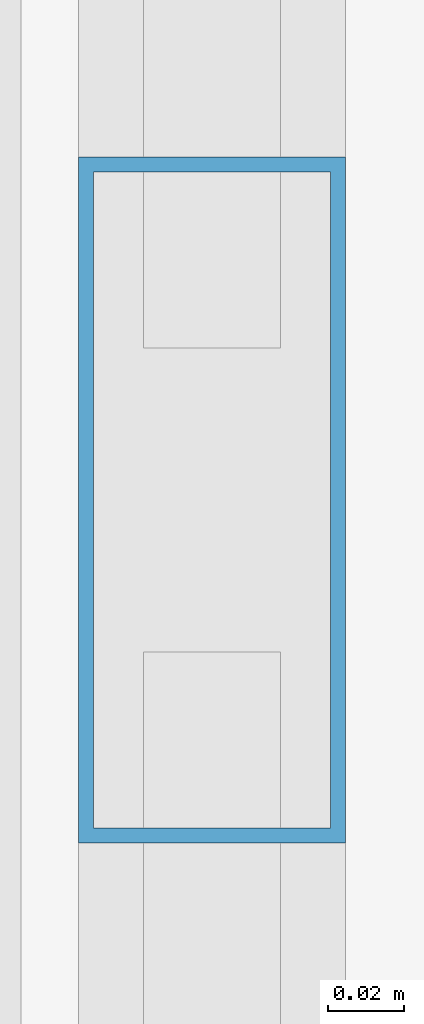
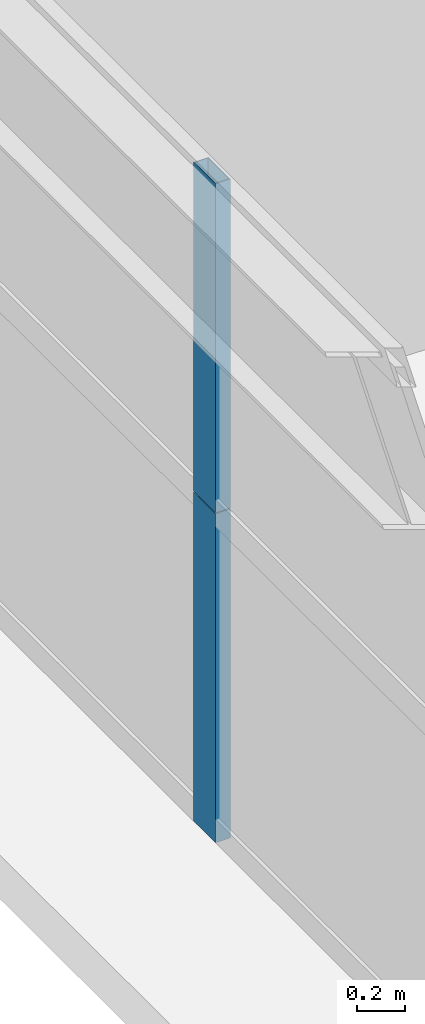
# One storey, part 9 of 43: 2 members, 1 element without a shape of its own.
"""IFC4 building model written with IfcOpenShell, lengths in metres."""

from ifc_helpers import new_model, si_unit, direction, frame, origin, origin_2d, place, context, subcontext, project, spatial, hollow_rectangle, extrude, source, transform, mapped, material, layer, layer_set, material_profile, profile_set, type_object, element, aggregate, save


model = new_model("IFC4")

# Units and contexts
model_context = context("Model", 3, precision=1e-05, world=origin(), true_north=direction((0.0, 1.0)))
body_context = subcontext(model_context, "Body", "Model", "MODEL_VIEW")
ifc_project = project(units=[si_unit("LENGTHUNIT", "METRE"), si_unit("AREAUNIT", "SQUARE_METRE"), si_unit("VOLUMEUNIT", "CUBIC_METRE"), si_unit("PLANEANGLEUNIT", "RADIAN"), si_unit("MASSUNIT", "GRAM", prefix="KILO"), si_unit("THERMODYNAMICTEMPERATUREUNIT", "KELVIN"), si_unit("POWERUNIT", "WATT")], contexts=[model_context])

# Site, building, storey
site_placement = place(None, origin())
site = spatial("IfcSite", under=ifc_project, at=site_placement, CompositionType="ELEMENT")
building_placement = place(site_placement, origin())
building = spatial("IfcBuilding", under=site, at=building_placement, Name="Yuzanri Waterfront Tower", CompositionType="ELEMENT")
storey_placement = place(building_placement, frame((0.0, 0.0, 37.800048828125)))
storey = spatial("IfcBuildingStorey", under=building, at=storey_placement, Name="L09", CompositionType="ELEMENT", Elevation=37.800048828125)

# Curtain wall, members
ifc_material_1 = material(Name="Anodized Architectural Bronze", Category="metal")
ifc_layer = layer(ifc_material_1, 0.159912109375)
ifc_layer_set = layer_set([ifc_layer], Name="Anodized Architectural Bronze")
curtain_wall_type = type_object("IfcCurtainWallType", Name="Anodized Bronze Hotel Lower-Tier Recessed Unitized Curtain Wall 8100", PredefinedType="NOTDEFINED", material=ifc_layer_set)
curtain_wall_placement = place(storey_placement, origin())
curtain_wall = element("IfcCurtainWall", 1, at=curtain_wall_placement, inside=storey, type_object=curtain_wall_type, Name="L09 Curtain Wall CW-L09-WL", PredefinedType="NOTDEFINED")
ifc_material_2 = material(Name="Anodized Architectural Bronze", Category="metal")
ifc_material_profile = material_profile(ifc_material_2, hollow_rectangle(XDim=0.070068359375, YDim=0.179931640625, WallThickness=0.00390625, at=origin_2d()), Name="CWM 70x180")
ifc_profile_set = profile_set([ifc_material_profile], Name="Anodized Architectural Bronze")
member_type = type_object("IfcMemberType", Name="Anodized Bronze Standard Curtain-Wall Mullion 70x180", PredefinedType="MULLION", material=ifc_profile_set)
shared_shape_1 = source(origin(), body_context, "Body", "SweptSolid", [
    extrude(hollow_rectangle(XDim=0.070068359375, YDim=0.179931640625, WallThickness=0.00390625, at=origin_2d()), origin(), (0.0, 0.0, 1.0), 1.657958984375),
])
member_1_placement = place(storey_placement, frame((12.050048828125, 16.699951171875, 0.0), z_axis=(0.0, 0.0, 1.0), x_axis=(1.0, 0.0, 0.0)))
member_1 = element("IfcMember", 2, at=member_1_placement, type_object=member_type, Name="CW-L09-WL Lower Mullion 01", PredefinedType="MULLION", context=body_context, shape_type="MappedRepresentation", body=[
    mapped(shared_shape_1, transform((0.0, 0.0, 0.0), scale=1.0)),
])
shared_shape_2 = source(origin(), body_context, "Body", "SweptSolid", [
    extrude(hollow_rectangle(XDim=0.070068359375, YDim=0.179931640625, WallThickness=0.00390625, at=origin_2d()), origin(), (0.0, 0.0, 1.0), 1.658203125),
])
member_2_placement = place(storey_placement, frame((12.050048828125, 16.699951171875, 1.661865234375), z_axis=(0.0, 0.0, 1.0), x_axis=(1.0, 0.0, 0.0)))
member_2 = element("IfcMember", 3, at=member_2_placement, type_object=member_type, Name="CW-L09-WL Upper Mullion 01", PredefinedType="MULLION", context=body_context, shape_type="MappedRepresentation", body=[
    mapped(shared_shape_2, transform((0.0, 0.0, 0.0), scale=1.0)),
])
aggregate(curtain_wall, [member_1, member_2])

save(model, "model.ifc")
